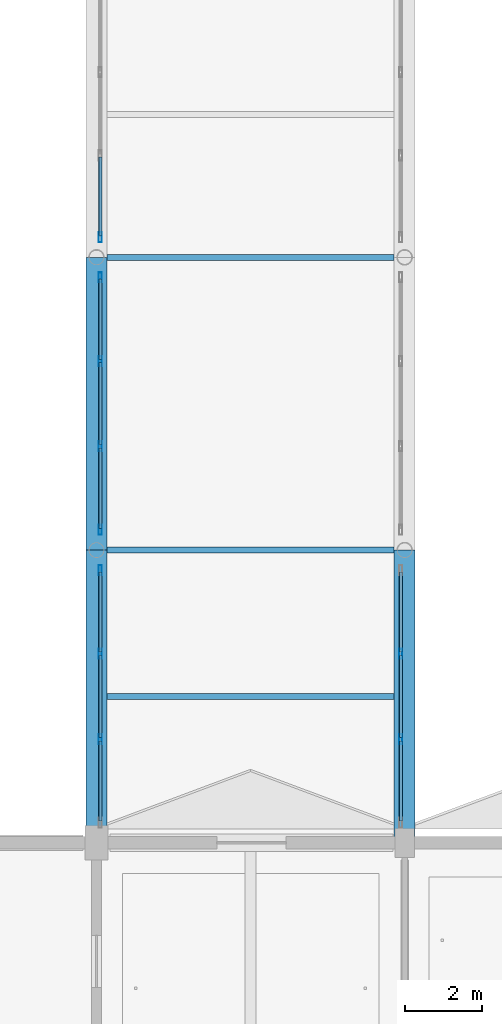
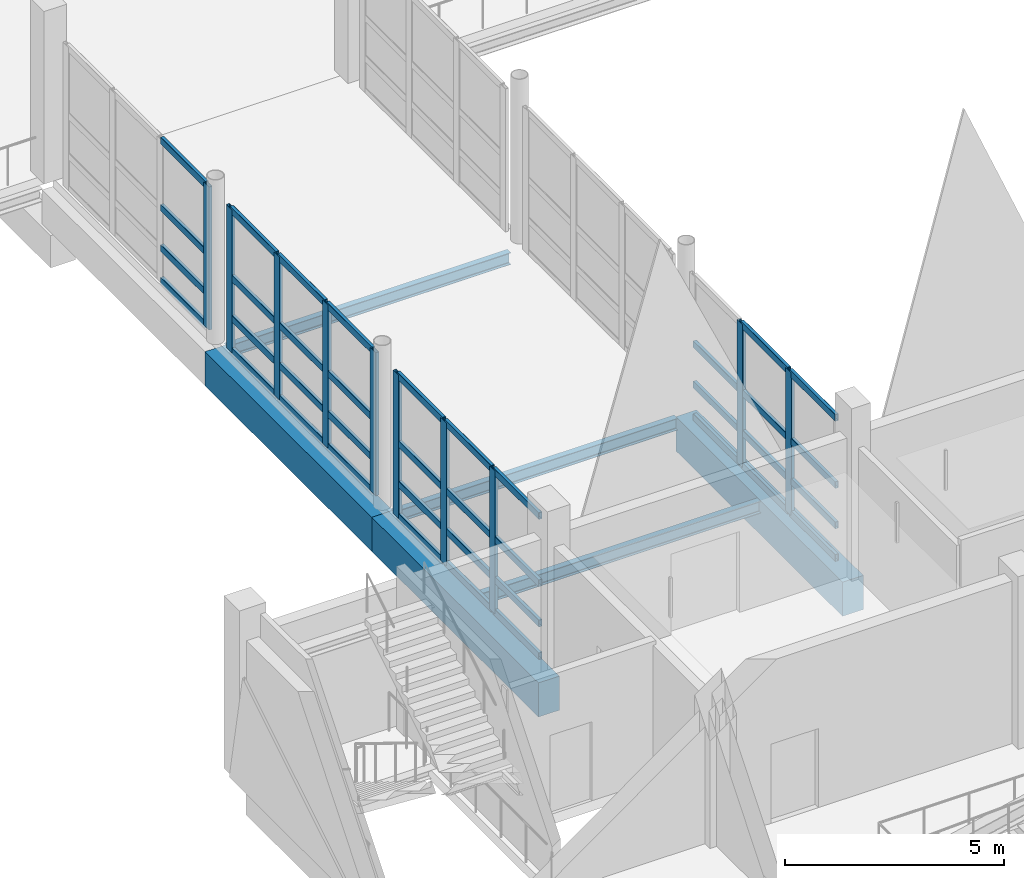
# One storey, part 21 of 141: 49 members, 6 beams, 4 elements without a shape of their own.
"""IFC4 building model written with IfcOpenShell, lengths in metres."""

from ifc_helpers import new_model, si_unit, direction, frame, origin, origin_2d, place, context, subcontext, project, spatial, rectangle, hollow_rectangle, i_section, extrude, material, material_profile, profile_set, type_object, element, aggregate, save


model = new_model("IFC4")

# Units and contexts
model_context = context("Model", 3, precision=1e-05, world=origin(), true_north=direction((0.0, 1.0)))
body_context = subcontext(model_context, "Body", "Model", "MODEL_VIEW")
ifc_project = project(units=[si_unit("LENGTHUNIT", "METRE"), si_unit("AREAUNIT", "SQUARE_METRE"), si_unit("VOLUMEUNIT", "CUBIC_METRE"), si_unit("PLANEANGLEUNIT", "RADIAN"), si_unit("MASSUNIT", "GRAM", prefix="KILO")], contexts=[model_context])

# Site, building, storey
site_placement = place(None, origin())
site = spatial("IfcSite", under=ifc_project, at=site_placement, CompositionType="ELEMENT")
building_placement = place(site_placement, origin())
building = spatial("IfcBuilding", under=site, at=building_placement, Name="Khelvaren Railside Concert Hall", CompositionType="ELEMENT")
storey_placement = place(building_placement, frame((0.0, 0.0, 10.199951171875)))
storey = spatial("IfcBuildingStorey", under=building, at=storey_placement, Name="L02", CompositionType="ELEMENT", Elevation=10.199951171875)

# Curtain wall, members
ifc_material_1 = material(Name="Acoustic laminated crystal facade glass", Category="glass")
curtain_wall_type = type_object("IfcCurtainWallType", Name="CW78", PredefinedType="USERDEFINED", material=ifc_material_1)
curtain_wall_1_placement = place(storey_placement, origin())
curtain_wall_1 = element("IfcCurtainWall", 1, at=curtain_wall_1_placement, inside=storey, type_object=curtain_wall_type, Name="Unitised Curtain Wall CW-LB3-L02-W1", ObjectType="UNITISED CURTAIN WALL", PredefinedType="USERDEFINED")
ifc_material_2 = material(Name="Anodised architectural aluminium 6063-T6", Category="aluminium")
ifc_material_profile_1 = material_profile(ifc_material_2, hollow_rectangle(XDim=0.0849609375, YDim=0.260009765625, WallThickness=0.0048828125, InnerFilletRadius=0.0029296875, OuterFilletRadius=0.0048828125, at=origin_2d()), Name="CWM 85x260x5")
ifc_profile_set_1 = profile_set([ifc_material_profile_1], Name="Anodised architectural aluminium 6063-T6")
member_type_1 = type_object("IfcMemberType", Name="CWM40", PredefinedType="MULLION", material=ifc_profile_set_1)
member_1_placement = place(storey_placement, frame((8.10009765625, 48.293212890625, 0.0), z_axis=(0.0, 0.0, 1.0), x_axis=(-1.0, 0.0, 0.0)))
member_1 = element("IfcMember", 2, at=member_1_placement, type_object=member_type_1, Name="CW78 mullion 2", PredefinedType="MULLION", context=body_context, shape_type="SweptSolid", body=[
    extrude(hollow_rectangle(XDim=0.0849609375, YDim=0.260009765625, WallThickness=0.0048828125, InnerFilletRadius=0.0029296875, OuterFilletRadius=0.0048828125, at=origin_2d()), origin(), (0.0, 0.0, 1.0), 3.97998046875),
])
member_2_placement = place(storey_placement, frame((8.10009765625, 50.506591796875, 0.0), z_axis=(0.0, 0.0, 1.0), x_axis=(-1.0, 0.0, 0.0)))
member_2 = element("IfcMember", 3, at=member_2_placement, type_object=member_type_1, Name="CW78 mullion 3", PredefinedType="MULLION", context=body_context, shape_type="SweptSolid", body=[
    extrude(hollow_rectangle(XDim=0.0849609375, YDim=0.260009765625, WallThickness=0.0048828125, InnerFilletRadius=0.0029296875, OuterFilletRadius=0.0048828125, at=origin_2d()), origin(), (0.0, 0.0, 1.0), 3.97998046875),
])
member_3_placement = place(storey_placement, frame((8.10009765625, 52.677490234375, 0.0), z_axis=(0.0, 0.0, 1.0), x_axis=(-1.0, 0.0, 0.0)))
member_3 = element("IfcMember", 4, at=member_3_placement, type_object=member_type_1, Name="CW78 mullion 4", PredefinedType="MULLION", context=body_context, shape_type="SweptSolid", body=[
    extrude(hollow_rectangle(XDim=0.0849609375, YDim=0.260009765625, WallThickness=0.0048828125, InnerFilletRadius=0.0029296875, OuterFilletRadius=0.0048828125, at=origin_2d()), origin(), (0.0, 0.0, 1.0), 3.97998046875),
])

curtain_wall_2_placement = place(storey_placement, origin())
curtain_wall_2 = element("IfcCurtainWall", 5, at=curtain_wall_2_placement, inside=storey, type_object=curtain_wall_type, Name="Unitised Curtain Wall CW-LB3-L02-E1", ObjectType="UNITISED CURTAIN WALL", PredefinedType="USERDEFINED")
member_4_placement = place(storey_placement, frame((15.89990234375, 50.506591796875, 0.0), z_axis=(0.0, 0.0, 1.0), x_axis=(1.0, 0.0, 0.0)))
member_4 = element("IfcMember", 6, at=member_4_placement, type_object=member_type_1, Name="CW78 mullion 2", PredefinedType="MULLION", context=body_context, shape_type="SweptSolid", body=[
    extrude(hollow_rectangle(XDim=0.0849609375, YDim=0.260009765625, WallThickness=0.0048828125, InnerFilletRadius=0.0029296875, OuterFilletRadius=0.0048828125, at=origin_2d()), origin(), (0.0, 0.0, 1.0), 3.97998046875),
])
member_5_placement = place(storey_placement, frame((15.89990234375, 48.293212890625, 0.0), z_axis=(0.0, 0.0, 1.0), x_axis=(1.0, 0.0, 0.0)))
member_5 = element("IfcMember", 7, at=member_5_placement, type_object=member_type_1, Name="CW78 mullion 3", PredefinedType="MULLION", context=body_context, shape_type="SweptSolid", body=[
    extrude(hollow_rectangle(XDim=0.0849609375, YDim=0.260009765625, WallThickness=0.0048828125, InnerFilletRadius=0.0029296875, OuterFilletRadius=0.0048828125, at=origin_2d()), origin(), (0.0, 0.0, 1.0), 3.97998046875),
])

curtain_wall_3_placement = place(storey_placement, origin())
curtain_wall_3 = element("IfcCurtainWall", 8, at=curtain_wall_3_placement, inside=storey, type_object=curtain_wall_type, Name="Unitised Curtain Wall CW-LB3-L02-W2", ObjectType="UNITISED CURTAIN WALL", PredefinedType="USERDEFINED")
member_6_placement = place(storey_placement, frame((8.10009765625, 53.722412109375, 0.0), z_axis=(0.0, 0.0, 1.0), x_axis=(-1.0, 0.0, 0.0)))
member_6 = element("IfcMember", 9, at=member_6_placement, type_object=member_type_1, Name="CW78 mullion 1", PredefinedType="MULLION", context=body_context, shape_type="SweptSolid", body=[
    extrude(hollow_rectangle(XDim=0.0849609375, YDim=0.260009765625, WallThickness=0.0048828125, InnerFilletRadius=0.0029296875, OuterFilletRadius=0.0048828125, at=origin_2d()), origin(), (0.0, 0.0, 1.0), 3.97998046875),
])
member_7_placement = place(storey_placement, frame((8.10009765625, 55.893310546875, 0.0), z_axis=(0.0, 0.0, 1.0), x_axis=(-1.0, 0.0, 0.0)))
member_7 = element("IfcMember", 10, at=member_7_placement, type_object=member_type_1, Name="CW78 mullion 2", PredefinedType="MULLION", context=body_context, shape_type="SweptSolid", body=[
    extrude(hollow_rectangle(XDim=0.0849609375, YDim=0.260009765625, WallThickness=0.0048828125, InnerFilletRadius=0.0029296875, OuterFilletRadius=0.0048828125, at=origin_2d()), origin(), (0.0, 0.0, 1.0), 3.97998046875),
])
member_8_placement = place(storey_placement, frame((8.10009765625, 58.106689453125, 0.0), z_axis=(0.0, 0.0, 1.0), x_axis=(-1.0, 0.0, 0.0)))
member_8 = element("IfcMember", 11, at=member_8_placement, type_object=member_type_1, Name="CW78 mullion 3", PredefinedType="MULLION", context=body_context, shape_type="SweptSolid", body=[
    extrude(hollow_rectangle(XDim=0.0849609375, YDim=0.260009765625, WallThickness=0.0048828125, InnerFilletRadius=0.0029296875, OuterFilletRadius=0.0048828125, at=origin_2d()), origin(), (0.0, 0.0, 1.0), 3.97998046875),
])
member_9_placement = place(storey_placement, frame((8.10009765625, 60.277587890625, 0.0), z_axis=(0.0, 0.0, 1.0), x_axis=(-1.0, 0.0, 0.0)))
member_9 = element("IfcMember", 12, at=member_9_placement, type_object=member_type_1, Name="CW78 mullion 4", PredefinedType="MULLION", context=body_context, shape_type="SweptSolid", body=[
    extrude(hollow_rectangle(XDim=0.0849609375, YDim=0.260009765625, WallThickness=0.0048828125, InnerFilletRadius=0.0029296875, OuterFilletRadius=0.0048828125, at=origin_2d()), origin(), (0.0, 0.0, 1.0), 3.97998046875),
])

# Curtain wall, member
curtain_wall_4_placement = place(storey_placement, origin())
curtain_wall_4 = element("IfcCurtainWall", 13, at=curtain_wall_4_placement, inside=storey, type_object=curtain_wall_type, Name="Unitised Curtain Wall CW-LB3-L02-W3", ObjectType="UNITISED CURTAIN WALL", PredefinedType="USERDEFINED")
member_10_placement = place(storey_placement, frame((8.10009765625, 61.322509765625, 0.0), z_axis=(0.0, 0.0, 1.0), x_axis=(-1.0, 0.0, 0.0)))
member_10 = element("IfcMember", 14, at=member_10_placement, type_object=member_type_1, Name="CW78 mullion 1", PredefinedType="MULLION", context=body_context, shape_type="SweptSolid", body=[
    extrude(hollow_rectangle(XDim=0.0849609375, YDim=0.260009765625, WallThickness=0.0048828125, InnerFilletRadius=0.0029296875, OuterFilletRadius=0.0048828125, at=origin_2d()), origin(), (0.0, 0.0, 1.0), 3.97998046875),
])

# Member
ifc_material_profile_2 = material_profile(ifc_material_2, hollow_rectangle(XDim=0.0849609375, YDim=0.18994140625, WallThickness=0.0048828125, InnerFilletRadius=0.0029296875, OuterFilletRadius=0.0048828125, at=origin_2d()), Name="CWT 85x190x5")
ifc_profile_set_2 = profile_set([ifc_material_profile_2], Name="Anodised architectural aluminium 6063-T6")
member_type_2 = type_object("IfcMemberType", Name="CWT31", PredefinedType="USERDEFINED", material=ifc_profile_set_2)
member_11_placement = place(storey_placement, frame((8.10009765625, 46.1650390625, 0.04248046875), z_axis=(0.0, 1.0, 0.0), x_axis=(-1.0, 0.0, 0.0)))
member_11 = element("IfcMember", 15, at=member_11_placement, type_object=member_type_2, Name="CW78 transom 1.1", ObjectType="TRANSOM", PredefinedType="USERDEFINED", context=body_context, shape_type="SweptSolid", body=[
    extrude(hollow_rectangle(XDim=0.0849609375, YDim=0.18994140625, WallThickness=0.0048828125, InnerFilletRadius=0.0029296875, OuterFilletRadius=0.0048828125, at=origin_2d()), origin(), (0.0, 0.0, 1.0), 2.085693359375),
])

member_12_placement = place(storey_placement, frame((8.10009765625, 46.1650390625, 0.949951171875), z_axis=(0.0, 1.0, 0.0), x_axis=(-1.0, 0.0, 0.0)))
member_12 = element("IfcMember", 16, at=member_12_placement, type_object=member_type_2, Name="CW78 transom 1.2", ObjectType="TRANSOM", PredefinedType="USERDEFINED", context=body_context, shape_type="SweptSolid", body=[
    extrude(hollow_rectangle(XDim=0.0849609375, YDim=0.18994140625, WallThickness=0.0048828125, InnerFilletRadius=0.0029296875, OuterFilletRadius=0.0048828125, at=origin_2d()), origin(), (0.0, 0.0, 1.0), 2.085693359375),
])

member_13_placement = place(storey_placement, frame((8.10009765625, 46.1650390625, 2.069580078125), z_axis=(0.0, 1.0, 0.0), x_axis=(-1.0, 0.0, 0.0)))
member_13 = element("IfcMember", 17, at=member_13_placement, type_object=member_type_2, Name="CW78 transom 1.3", ObjectType="TRANSOM", PredefinedType="USERDEFINED", context=body_context, shape_type="SweptSolid", body=[
    extrude(hollow_rectangle(XDim=0.0849609375, YDim=0.18994140625, WallThickness=0.0048828125, InnerFilletRadius=0.0029296875, OuterFilletRadius=0.0048828125, at=origin_2d()), origin(), (0.0, 0.0, 1.0), 2.085693359375),
])

member_14_placement = place(storey_placement, frame((8.10009765625, 46.1650390625, 3.9375), z_axis=(0.0, 1.0, 0.0), x_axis=(-1.0, 0.0, 0.0)))
member_14 = element("IfcMember", 18, at=member_14_placement, type_object=member_type_2, Name="CW78 transom 1.4", ObjectType="TRANSOM", PredefinedType="USERDEFINED", context=body_context, shape_type="SweptSolid", body=[
    extrude(hollow_rectangle(XDim=0.0849609375, YDim=0.18994140625, WallThickness=0.0048828125, InnerFilletRadius=0.0029296875, OuterFilletRadius=0.0048828125, at=origin_2d()), origin(), (0.0, 0.0, 1.0), 2.085693359375),
])

member_15_placement = place(storey_placement, frame((8.10009765625, 48.3359375, 0.04248046875), z_axis=(0.0, 1.0, 0.0), x_axis=(-1.0, 0.0, 0.0)))
member_15 = element("IfcMember", 19, at=member_15_placement, type_object=member_type_2, Name="CW78 transom 2.1", ObjectType="TRANSOM", PredefinedType="USERDEFINED", context=body_context, shape_type="SweptSolid", body=[
    extrude(hollow_rectangle(XDim=0.0849609375, YDim=0.18994140625, WallThickness=0.0048828125, InnerFilletRadius=0.0029296875, OuterFilletRadius=0.0048828125, at=origin_2d()), origin(), (0.0, 0.0, 1.0), 2.128173828125),
])

member_16_placement = place(storey_placement, frame((8.10009765625, 48.3359375, 0.949951171875), z_axis=(0.0, 1.0, 0.0), x_axis=(-1.0, 0.0, 0.0)))
member_16 = element("IfcMember", 20, at=member_16_placement, type_object=member_type_2, Name="CW78 transom 2.2", ObjectType="TRANSOM", PredefinedType="USERDEFINED", context=body_context, shape_type="SweptSolid", body=[
    extrude(hollow_rectangle(XDim=0.0849609375, YDim=0.18994140625, WallThickness=0.0048828125, InnerFilletRadius=0.0029296875, OuterFilletRadius=0.0048828125, at=origin_2d()), origin(), (0.0, 0.0, 1.0), 2.128173828125),
])

member_17_placement = place(storey_placement, frame((8.10009765625, 48.3359375, 2.069580078125), z_axis=(0.0, 1.0, 0.0), x_axis=(-1.0, 0.0, 0.0)))
member_17 = element("IfcMember", 21, at=member_17_placement, type_object=member_type_2, Name="CW78 transom 2.3", ObjectType="TRANSOM", PredefinedType="USERDEFINED", context=body_context, shape_type="SweptSolid", body=[
    extrude(hollow_rectangle(XDim=0.0849609375, YDim=0.18994140625, WallThickness=0.0048828125, InnerFilletRadius=0.0029296875, OuterFilletRadius=0.0048828125, at=origin_2d()), origin(), (0.0, 0.0, 1.0), 2.128173828125),
])

member_18_placement = place(storey_placement, frame((8.10009765625, 48.3359375, 3.9375), z_axis=(0.0, 1.0, 0.0), x_axis=(-1.0, 0.0, 0.0)))
member_18 = element("IfcMember", 22, at=member_18_placement, type_object=member_type_2, Name="CW78 transom 2.4", ObjectType="TRANSOM", PredefinedType="USERDEFINED", context=body_context, shape_type="SweptSolid", body=[
    extrude(hollow_rectangle(XDim=0.0849609375, YDim=0.18994140625, WallThickness=0.0048828125, InnerFilletRadius=0.0029296875, OuterFilletRadius=0.0048828125, at=origin_2d()), origin(), (0.0, 0.0, 1.0), 2.128173828125),
])

member_19_placement = place(storey_placement, frame((8.10009765625, 50.549072265625, 0.04248046875), z_axis=(0.0, 1.0, 0.0), x_axis=(-1.0, 0.0, 0.0)))
member_19 = element("IfcMember", 23, at=member_19_placement, type_object=member_type_2, Name="CW78 transom 3.1", ObjectType="TRANSOM", PredefinedType="USERDEFINED", context=body_context, shape_type="SweptSolid", body=[
    extrude(hollow_rectangle(XDim=0.0849609375, YDim=0.18994140625, WallThickness=0.0048828125, InnerFilletRadius=0.0029296875, OuterFilletRadius=0.0048828125, at=origin_2d()), origin(), (0.0, 0.0, 1.0), 2.0859375),
])

member_20_placement = place(storey_placement, frame((8.10009765625, 50.549072265625, 0.949951171875), z_axis=(0.0, 1.0, 0.0), x_axis=(-1.0, 0.0, 0.0)))
member_20 = element("IfcMember", 24, at=member_20_placement, type_object=member_type_2, Name="CW78 transom 3.2", ObjectType="TRANSOM", PredefinedType="USERDEFINED", context=body_context, shape_type="SweptSolid", body=[
    extrude(hollow_rectangle(XDim=0.0849609375, YDim=0.18994140625, WallThickness=0.0048828125, InnerFilletRadius=0.0029296875, OuterFilletRadius=0.0048828125, at=origin_2d()), origin(), (0.0, 0.0, 1.0), 2.0859375),
])

member_21_placement = place(storey_placement, frame((8.10009765625, 50.549072265625, 2.069580078125), z_axis=(0.0, 1.0, 0.0), x_axis=(-1.0, 0.0, 0.0)))
member_21 = element("IfcMember", 25, at=member_21_placement, type_object=member_type_2, Name="CW78 transom 3.3", ObjectType="TRANSOM", PredefinedType="USERDEFINED", context=body_context, shape_type="SweptSolid", body=[
    extrude(hollow_rectangle(XDim=0.0849609375, YDim=0.18994140625, WallThickness=0.0048828125, InnerFilletRadius=0.0029296875, OuterFilletRadius=0.0048828125, at=origin_2d()), origin(), (0.0, 0.0, 1.0), 2.0859375),
])

member_22_placement = place(storey_placement, frame((8.10009765625, 50.549072265625, 3.9375), z_axis=(0.0, 1.0, 0.0), x_axis=(-1.0, 0.0, 0.0)))
member_22 = element("IfcMember", 26, at=member_22_placement, type_object=member_type_2, Name="CW78 transom 3.4", ObjectType="TRANSOM", PredefinedType="USERDEFINED", context=body_context, shape_type="SweptSolid", body=[
    extrude(hollow_rectangle(XDim=0.0849609375, YDim=0.18994140625, WallThickness=0.0048828125, InnerFilletRadius=0.0029296875, OuterFilletRadius=0.0048828125, at=origin_2d()), origin(), (0.0, 0.0, 1.0), 2.0859375),
])

aggregate(curtain_wall_1, [member_1, member_2, member_3, member_11, member_12, member_13, member_14, member_15, member_16, member_17, member_18, member_19, member_20, member_21, member_22])

member_23_placement = place(storey_placement, frame((15.89990234375, 52.635009765625, 0.04248046875), z_axis=(0.0, -1.0, 0.0), x_axis=(1.0, 0.0, 0.0)))
member_23 = element("IfcMember", 27, at=member_23_placement, type_object=member_type_2, Name="CW78 transom 1.1", ObjectType="TRANSOM", PredefinedType="USERDEFINED", context=body_context, shape_type="SweptSolid", body=[
    extrude(hollow_rectangle(XDim=0.0849609375, YDim=0.18994140625, WallThickness=0.0048828125, InnerFilletRadius=0.0029296875, OuterFilletRadius=0.0048828125, at=origin_2d()), origin(), (0.0, 0.0, 1.0), 2.0859375),
])

member_24_placement = place(storey_placement, frame((15.89990234375, 52.635009765625, 0.949951171875), z_axis=(0.0, -1.0, 0.0), x_axis=(1.0, 0.0, 0.0)))
member_24 = element("IfcMember", 28, at=member_24_placement, type_object=member_type_2, Name="CW78 transom 1.2", ObjectType="TRANSOM", PredefinedType="USERDEFINED", context=body_context, shape_type="SweptSolid", body=[
    extrude(hollow_rectangle(XDim=0.0849609375, YDim=0.18994140625, WallThickness=0.0048828125, InnerFilletRadius=0.0029296875, OuterFilletRadius=0.0048828125, at=origin_2d()), origin(), (0.0, 0.0, 1.0), 2.0859375),
])

member_25_placement = place(storey_placement, frame((15.89990234375, 52.635009765625, 2.069580078125), z_axis=(0.0, -1.0, 0.0), x_axis=(1.0, 0.0, 0.0)))
member_25 = element("IfcMember", 29, at=member_25_placement, type_object=member_type_2, Name="CW78 transom 1.3", ObjectType="TRANSOM", PredefinedType="USERDEFINED", context=body_context, shape_type="SweptSolid", body=[
    extrude(hollow_rectangle(XDim=0.0849609375, YDim=0.18994140625, WallThickness=0.0048828125, InnerFilletRadius=0.0029296875, OuterFilletRadius=0.0048828125, at=origin_2d()), origin(), (0.0, 0.0, 1.0), 2.0859375),
])

member_26_placement = place(storey_placement, frame((15.89990234375, 50.464111328125, 0.04248046875), z_axis=(0.0, -1.0, 0.0), x_axis=(1.0, 0.0, 0.0)))
member_26 = element("IfcMember", 30, at=member_26_placement, type_object=member_type_2, Name="CW78 transom 2.1", ObjectType="TRANSOM", PredefinedType="USERDEFINED", context=body_context, shape_type="SweptSolid", body=[
    extrude(hollow_rectangle(XDim=0.0849609375, YDim=0.18994140625, WallThickness=0.0048828125, InnerFilletRadius=0.0029296875, OuterFilletRadius=0.0048828125, at=origin_2d()), origin(), (0.0, 0.0, 1.0), 2.128173828125),
])

member_27_placement = place(storey_placement, frame((15.89990234375, 50.464111328125, 0.949951171875), z_axis=(0.0, -1.0, 0.0), x_axis=(1.0, 0.0, 0.0)))
member_27 = element("IfcMember", 31, at=member_27_placement, type_object=member_type_2, Name="CW78 transom 2.2", ObjectType="TRANSOM", PredefinedType="USERDEFINED", context=body_context, shape_type="SweptSolid", body=[
    extrude(hollow_rectangle(XDim=0.0849609375, YDim=0.18994140625, WallThickness=0.0048828125, InnerFilletRadius=0.0029296875, OuterFilletRadius=0.0048828125, at=origin_2d()), origin(), (0.0, 0.0, 1.0), 2.128173828125),
])

member_28_placement = place(storey_placement, frame((15.89990234375, 50.464111328125, 2.069580078125), z_axis=(0.0, -1.0, 0.0), x_axis=(1.0, 0.0, 0.0)))
member_28 = element("IfcMember", 32, at=member_28_placement, type_object=member_type_2, Name="CW78 transom 2.3", ObjectType="TRANSOM", PredefinedType="USERDEFINED", context=body_context, shape_type="SweptSolid", body=[
    extrude(hollow_rectangle(XDim=0.0849609375, YDim=0.18994140625, WallThickness=0.0048828125, InnerFilletRadius=0.0029296875, OuterFilletRadius=0.0048828125, at=origin_2d()), origin(), (0.0, 0.0, 1.0), 2.128173828125),
])

member_29_placement = place(storey_placement, frame((15.89990234375, 50.464111328125, 3.9375), z_axis=(0.0, -1.0, 0.0), x_axis=(1.0, 0.0, 0.0)))
member_29 = element("IfcMember", 33, at=member_29_placement, type_object=member_type_2, Name="CW78 transom 2.4", ObjectType="TRANSOM", PredefinedType="USERDEFINED", context=body_context, shape_type="SweptSolid", body=[
    extrude(hollow_rectangle(XDim=0.0849609375, YDim=0.18994140625, WallThickness=0.0048828125, InnerFilletRadius=0.0029296875, OuterFilletRadius=0.0048828125, at=origin_2d()), origin(), (0.0, 0.0, 1.0), 2.128173828125),
])

member_30_placement = place(storey_placement, frame((15.89990234375, 48.250732421875, 0.04248046875), z_axis=(0.0, -1.0, 0.0), x_axis=(1.0, 0.0, 0.0)))
member_30 = element("IfcMember", 34, at=member_30_placement, type_object=member_type_2, Name="CW78 transom 3.1", ObjectType="TRANSOM", PredefinedType="USERDEFINED", context=body_context, shape_type="SweptSolid", body=[
    extrude(hollow_rectangle(XDim=0.0849609375, YDim=0.18994140625, WallThickness=0.0048828125, InnerFilletRadius=0.0029296875, OuterFilletRadius=0.0048828125, at=origin_2d()), origin(), (0.0, 0.0, 1.0), 2.085693359375),
])

member_31_placement = place(storey_placement, frame((15.89990234375, 48.250732421875, 0.949951171875), z_axis=(0.0, -1.0, 0.0), x_axis=(1.0, 0.0, 0.0)))
member_31 = element("IfcMember", 35, at=member_31_placement, type_object=member_type_2, Name="CW78 transom 3.2", ObjectType="TRANSOM", PredefinedType="USERDEFINED", context=body_context, shape_type="SweptSolid", body=[
    extrude(hollow_rectangle(XDim=0.0849609375, YDim=0.18994140625, WallThickness=0.0048828125, InnerFilletRadius=0.0029296875, OuterFilletRadius=0.0048828125, at=origin_2d()), origin(), (0.0, 0.0, 1.0), 2.085693359375),
])

member_32_placement = place(storey_placement, frame((15.89990234375, 48.250732421875, 2.069580078125), z_axis=(0.0, -1.0, 0.0), x_axis=(1.0, 0.0, 0.0)))
member_32 = element("IfcMember", 36, at=member_32_placement, type_object=member_type_2, Name="CW78 transom 3.3", ObjectType="TRANSOM", PredefinedType="USERDEFINED", context=body_context, shape_type="SweptSolid", body=[
    extrude(hollow_rectangle(XDim=0.0849609375, YDim=0.18994140625, WallThickness=0.0048828125, InnerFilletRadius=0.0029296875, OuterFilletRadius=0.0048828125, at=origin_2d()), origin(), (0.0, 0.0, 1.0), 2.085693359375),
])

member_33_placement = place(storey_placement, frame((15.89990234375, 48.250732421875, 3.9375), z_axis=(0.0, -1.0, 0.0), x_axis=(1.0, 0.0, 0.0)))
member_33 = element("IfcMember", 37, at=member_33_placement, type_object=member_type_2, Name="CW78 transom 3.4", ObjectType="TRANSOM", PredefinedType="USERDEFINED", context=body_context, shape_type="SweptSolid", body=[
    extrude(hollow_rectangle(XDim=0.0849609375, YDim=0.18994140625, WallThickness=0.0048828125, InnerFilletRadius=0.0029296875, OuterFilletRadius=0.0048828125, at=origin_2d()), origin(), (0.0, 0.0, 1.0), 2.085693359375),
])

aggregate(curtain_wall_2, [member_4, member_5, member_23, member_24, member_25, member_26, member_27, member_28, member_29, member_30, member_31, member_32, member_33])

member_34_placement = place(storey_placement, frame((8.10009765625, 53.764892578125, 0.04248046875), z_axis=(0.0, 1.0, 0.0), x_axis=(-1.0, 0.0, 0.0)))
member_34 = element("IfcMember", 38, at=member_34_placement, type_object=member_type_2, Name="CW78 transom 1.1", ObjectType="TRANSOM", PredefinedType="USERDEFINED", context=body_context, shape_type="SweptSolid", body=[
    extrude(hollow_rectangle(XDim=0.0849609375, YDim=0.18994140625, WallThickness=0.0048828125, InnerFilletRadius=0.0029296875, OuterFilletRadius=0.0048828125, at=origin_2d()), origin(), (0.0, 0.0, 1.0), 2.0859375),
])

member_35_placement = place(storey_placement, frame((8.10009765625, 53.764892578125, 0.949951171875), z_axis=(0.0, 1.0, 0.0), x_axis=(-1.0, 0.0, 0.0)))
member_35 = element("IfcMember", 39, at=member_35_placement, type_object=member_type_2, Name="CW78 transom 1.2", ObjectType="TRANSOM", PredefinedType="USERDEFINED", context=body_context, shape_type="SweptSolid", body=[
    extrude(hollow_rectangle(XDim=0.0849609375, YDim=0.18994140625, WallThickness=0.0048828125, InnerFilletRadius=0.0029296875, OuterFilletRadius=0.0048828125, at=origin_2d()), origin(), (0.0, 0.0, 1.0), 2.0859375),
])

member_36_placement = place(storey_placement, frame((8.10009765625, 53.764892578125, 2.069580078125), z_axis=(0.0, 1.0, 0.0), x_axis=(-1.0, 0.0, 0.0)))
member_36 = element("IfcMember", 40, at=member_36_placement, type_object=member_type_2, Name="CW78 transom 1.3", ObjectType="TRANSOM", PredefinedType="USERDEFINED", context=body_context, shape_type="SweptSolid", body=[
    extrude(hollow_rectangle(XDim=0.0849609375, YDim=0.18994140625, WallThickness=0.0048828125, InnerFilletRadius=0.0029296875, OuterFilletRadius=0.0048828125, at=origin_2d()), origin(), (0.0, 0.0, 1.0), 2.0859375),
])

member_37_placement = place(storey_placement, frame((8.10009765625, 53.764892578125, 3.9375), z_axis=(0.0, 1.0, 0.0), x_axis=(-1.0, 0.0, 0.0)))
member_37 = element("IfcMember", 41, at=member_37_placement, type_object=member_type_2, Name="CW78 transom 1.4", ObjectType="TRANSOM", PredefinedType="USERDEFINED", context=body_context, shape_type="SweptSolid", body=[
    extrude(hollow_rectangle(XDim=0.0849609375, YDim=0.18994140625, WallThickness=0.0048828125, InnerFilletRadius=0.0029296875, OuterFilletRadius=0.0048828125, at=origin_2d()), origin(), (0.0, 0.0, 1.0), 2.0859375),
])

member_38_placement = place(storey_placement, frame((8.10009765625, 55.935791015625, 0.04248046875), z_axis=(0.0, 1.0, 0.0), x_axis=(-1.0, 0.0, 0.0)))
member_38 = element("IfcMember", 42, at=member_38_placement, type_object=member_type_2, Name="CW78 transom 2.1", ObjectType="TRANSOM", PredefinedType="USERDEFINED", context=body_context, shape_type="SweptSolid", body=[
    extrude(hollow_rectangle(XDim=0.0849609375, YDim=0.18994140625, WallThickness=0.0048828125, InnerFilletRadius=0.0029296875, OuterFilletRadius=0.0048828125, at=origin_2d()), origin(), (0.0, 0.0, 1.0), 2.12841796875),
])

member_39_placement = place(storey_placement, frame((8.10009765625, 55.935791015625, 0.949951171875), z_axis=(0.0, 1.0, 0.0), x_axis=(-1.0, 0.0, 0.0)))
member_39 = element("IfcMember", 43, at=member_39_placement, type_object=member_type_2, Name="CW78 transom 2.2", ObjectType="TRANSOM", PredefinedType="USERDEFINED", context=body_context, shape_type="SweptSolid", body=[
    extrude(hollow_rectangle(XDim=0.0849609375, YDim=0.18994140625, WallThickness=0.0048828125, InnerFilletRadius=0.0029296875, OuterFilletRadius=0.0048828125, at=origin_2d()), origin(), (0.0, 0.0, 1.0), 2.12841796875),
])

member_40_placement = place(storey_placement, frame((8.10009765625, 55.935791015625, 2.069580078125), z_axis=(0.0, 1.0, 0.0), x_axis=(-1.0, 0.0, 0.0)))
member_40 = element("IfcMember", 44, at=member_40_placement, type_object=member_type_2, Name="CW78 transom 2.3", ObjectType="TRANSOM", PredefinedType="USERDEFINED", context=body_context, shape_type="SweptSolid", body=[
    extrude(hollow_rectangle(XDim=0.0849609375, YDim=0.18994140625, WallThickness=0.0048828125, InnerFilletRadius=0.0029296875, OuterFilletRadius=0.0048828125, at=origin_2d()), origin(), (0.0, 0.0, 1.0), 2.12841796875),
])

member_41_placement = place(storey_placement, frame((8.10009765625, 55.935791015625, 3.9375), z_axis=(0.0, 1.0, 0.0), x_axis=(-1.0, 0.0, 0.0)))
member_41 = element("IfcMember", 45, at=member_41_placement, type_object=member_type_2, Name="CW78 transom 2.4", ObjectType="TRANSOM", PredefinedType="USERDEFINED", context=body_context, shape_type="SweptSolid", body=[
    extrude(hollow_rectangle(XDim=0.0849609375, YDim=0.18994140625, WallThickness=0.0048828125, InnerFilletRadius=0.0029296875, OuterFilletRadius=0.0048828125, at=origin_2d()), origin(), (0.0, 0.0, 1.0), 2.12841796875),
])

member_42_placement = place(storey_placement, frame((8.10009765625, 58.149169921875, 0.04248046875), z_axis=(0.0, 1.0, 0.0), x_axis=(-1.0, 0.0, 0.0)))
member_42 = element("IfcMember", 46, at=member_42_placement, type_object=member_type_2, Name="CW78 transom 3.1", ObjectType="TRANSOM", PredefinedType="USERDEFINED", context=body_context, shape_type="SweptSolid", body=[
    extrude(hollow_rectangle(XDim=0.0849609375, YDim=0.18994140625, WallThickness=0.0048828125, InnerFilletRadius=0.0029296875, OuterFilletRadius=0.0048828125, at=origin_2d()), origin(), (0.0, 0.0, 1.0), 2.0859375),
])

member_43_placement = place(storey_placement, frame((8.10009765625, 58.149169921875, 0.949951171875), z_axis=(0.0, 1.0, 0.0), x_axis=(-1.0, 0.0, 0.0)))
member_43 = element("IfcMember", 47, at=member_43_placement, type_object=member_type_2, Name="CW78 transom 3.2", ObjectType="TRANSOM", PredefinedType="USERDEFINED", context=body_context, shape_type="SweptSolid", body=[
    extrude(hollow_rectangle(XDim=0.0849609375, YDim=0.18994140625, WallThickness=0.0048828125, InnerFilletRadius=0.0029296875, OuterFilletRadius=0.0048828125, at=origin_2d()), origin(), (0.0, 0.0, 1.0), 2.0859375),
])

member_44_placement = place(storey_placement, frame((8.10009765625, 58.149169921875, 2.069580078125), z_axis=(0.0, 1.0, 0.0), x_axis=(-1.0, 0.0, 0.0)))
member_44 = element("IfcMember", 48, at=member_44_placement, type_object=member_type_2, Name="CW78 transom 3.3", ObjectType="TRANSOM", PredefinedType="USERDEFINED", context=body_context, shape_type="SweptSolid", body=[
    extrude(hollow_rectangle(XDim=0.0849609375, YDim=0.18994140625, WallThickness=0.0048828125, InnerFilletRadius=0.0029296875, OuterFilletRadius=0.0048828125, at=origin_2d()), origin(), (0.0, 0.0, 1.0), 2.0859375),
])

member_45_placement = place(storey_placement, frame((8.10009765625, 58.149169921875, 3.9375), z_axis=(0.0, 1.0, 0.0), x_axis=(-1.0, 0.0, 0.0)))
member_45 = element("IfcMember", 49, at=member_45_placement, type_object=member_type_2, Name="CW78 transom 3.4", ObjectType="TRANSOM", PredefinedType="USERDEFINED", context=body_context, shape_type="SweptSolid", body=[
    extrude(hollow_rectangle(XDim=0.0849609375, YDim=0.18994140625, WallThickness=0.0048828125, InnerFilletRadius=0.0029296875, OuterFilletRadius=0.0048828125, at=origin_2d()), origin(), (0.0, 0.0, 1.0), 2.0859375),
])

aggregate(curtain_wall_3, [member_6, member_7, member_8, member_9, member_34, member_35, member_36, member_37, member_38, member_39, member_40, member_41, member_42, member_43, member_44, member_45])

member_46_placement = place(storey_placement, frame((8.10009765625, 61.364990234375, 0.04248046875), z_axis=(0.0, 1.0, 0.0), x_axis=(-1.0, 0.0, 0.0)))
member_46 = element("IfcMember", 50, at=member_46_placement, type_object=member_type_2, Name="CW78 transom 1.1", ObjectType="TRANSOM", PredefinedType="USERDEFINED", context=body_context, shape_type="SweptSolid", body=[
    extrude(hollow_rectangle(XDim=0.0849609375, YDim=0.18994140625, WallThickness=0.0048828125, InnerFilletRadius=0.0029296875, OuterFilletRadius=0.0048828125, at=origin_2d()), origin(), (0.0, 0.0, 1.0), 2.035888671875),
])

member_47_placement = place(storey_placement, frame((8.10009765625, 61.364990234375, 0.949951171875), z_axis=(0.0, 1.0, 0.0), x_axis=(-1.0, 0.0, 0.0)))
member_47 = element("IfcMember", 51, at=member_47_placement, type_object=member_type_2, Name="CW78 transom 1.2", ObjectType="TRANSOM", PredefinedType="USERDEFINED", context=body_context, shape_type="SweptSolid", body=[
    extrude(hollow_rectangle(XDim=0.0849609375, YDim=0.18994140625, WallThickness=0.0048828125, InnerFilletRadius=0.0029296875, OuterFilletRadius=0.0048828125, at=origin_2d()), origin(), (0.0, 0.0, 1.0), 2.035888671875),
])

member_48_placement = place(storey_placement, frame((8.10009765625, 61.364990234375, 2.069580078125), z_axis=(0.0, 1.0, 0.0), x_axis=(-1.0, 0.0, 0.0)))
member_48 = element("IfcMember", 52, at=member_48_placement, type_object=member_type_2, Name="CW78 transom 1.3", ObjectType="TRANSOM", PredefinedType="USERDEFINED", context=body_context, shape_type="SweptSolid", body=[
    extrude(hollow_rectangle(XDim=0.0849609375, YDim=0.18994140625, WallThickness=0.0048828125, InnerFilletRadius=0.0029296875, OuterFilletRadius=0.0048828125, at=origin_2d()), origin(), (0.0, 0.0, 1.0), 2.035888671875),
])

member_49_placement = place(storey_placement, frame((8.10009765625, 61.364990234375, 3.9375), z_axis=(0.0, 1.0, 0.0), x_axis=(-1.0, 0.0, 0.0)))
member_49 = element("IfcMember", 53, at=member_49_placement, type_object=member_type_2, Name="CW78 transom 1.4", ObjectType="TRANSOM", PredefinedType="USERDEFINED", context=body_context, shape_type="SweptSolid", body=[
    extrude(hollow_rectangle(XDim=0.0849609375, YDim=0.18994140625, WallThickness=0.0048828125, InnerFilletRadius=0.0029296875, OuterFilletRadius=0.0048828125, at=origin_2d()), origin(), (0.0, 0.0, 1.0), 2.035888671875),
])

aggregate(curtain_wall_4, [member_10, member_46, member_47, member_48, member_49])

# Beams
ifc_material_3 = material(Name="Concrete C40/50", Category="concrete")
ifc_material_profile_3 = material_profile(ifc_material_3, rectangle(XDim=0.550048828125, YDim=0.949951171875, at=origin_2d()), Name="RCB 550x950")
ifc_profile_set_3 = profile_set([ifc_material_profile_3], Name="Concrete C40/50")
beam_type_1 = type_object("IfcBeamType", Name="GR75", PredefinedType="T_BEAM", material=ifc_profile_set_3)
beam_1_placement = place(storey_placement, frame((8.0, 45.60009765625, -0.71484375), z_axis=(0.0, 1.0, 0.0), x_axis=(-1.0, 0.0, 0.0)))
element("IfcBeam", 54, at=beam_1_placement, inside=storey, type_object=beam_type_1, Name="West Court Chamber Link Bridge L02 Bridge Girder 1.1", PredefinedType="T_BEAM", context=body_context, shape_type="SweptSolid", body=[
    extrude(rectangle(XDim=0.550048828125, YDim=0.949951171875, at=origin_2d()), origin(), (0.0, 0.0, 1.0), 7.599853515625),
])
beam_2_placement = place(storey_placement, frame((8.0, 53.199951171875, -0.71484375), z_axis=(0.0, 1.0, 0.0), x_axis=(-1.0, 0.0, 0.0)))
element("IfcBeam", 55, at=beam_2_placement, inside=storey, type_object=beam_type_1, Name="West Court Chamber Link Bridge L02 Bridge Girder 1.2", PredefinedType="T_BEAM", context=body_context, shape_type="SweptSolid", body=[
    extrude(rectangle(XDim=0.550048828125, YDim=0.949951171875, at=origin_2d()), origin(), (0.0, 0.0, 1.0), 7.60009765625),
])
beam_3_placement = place(storey_placement, frame((16.0, 45.60009765625, -0.71484375), z_axis=(0.0, 1.0, 0.0), x_axis=(-1.0, 0.0, 0.0)))
element("IfcBeam", 56, at=beam_3_placement, inside=storey, type_object=beam_type_1, Name="West Court Chamber Link Bridge L02 Bridge Girder 2.1", PredefinedType="T_BEAM", context=body_context, shape_type="SweptSolid", body=[
    extrude(rectangle(XDim=0.550048828125, YDim=0.949951171875, at=origin_2d()), origin(), (0.0, 0.0, 1.0), 7.599853515625),
])
ifc_material_4 = material(Name="Steel S355", Category="steel")
ifc_material_profile_4 = material_profile(ifc_material_4, i_section(OverallWidth=0.159912109375, OverallDepth=0.330078125, WebThickness=0.007568359375, FlangeThickness=0.011474609375, FilletRadius=0.01806640625, at=origin_2d()), Name="IPE 330")
ifc_profile_set_4 = profile_set([ifc_material_profile_4], Name="Steel S355")
beam_type_2 = type_object("IfcBeamType", Name="JS65", PredefinedType="JOIST", material=ifc_profile_set_4)
for number, where, z_axis, x_axis, name in (
    (57, (8.27490234375, 53.199951171875, -0.405029296875), (1.0, 0.0, 0.0), (0.0, 1.0, 0.0), "West Court Chamber Link Bridge L02 Bridge Cross Joist 1"),
    (58, (8.27490234375, 60.800048828125, -0.405029296875), (1.0, 0.0, 0.0), (0.0, 1.0, 0.0), "West Court Chamber Link Bridge L02 Bridge Cross Joist 2"),
    (59, (8.27490234375, 49.39990234375, -0.405029296875), (1.0, 0.0, 0.0), (0.0, 1.0, 0.0), "West Court Chamber Link Bridge L02 Bridge Cross Joist 3"),
):
    element("IfcBeam", number, at=place(storey_placement, frame(where, z_axis=z_axis, x_axis=x_axis)), inside=storey, type_object=beam_type_2, Name=name, PredefinedType="JOIST", context=body_context, shape_type="SweptSolid", body=[
        extrude(i_section(OverallWidth=0.159912109375, OverallDepth=0.330078125, WebThickness=0.007568359375, FlangeThickness=0.011474609375, FilletRadius=0.01806640625, at=origin_2d()), origin(), (0.0, 0.0, 1.0), 7.4501953125),
    ])

save(model, "model.ifc")
